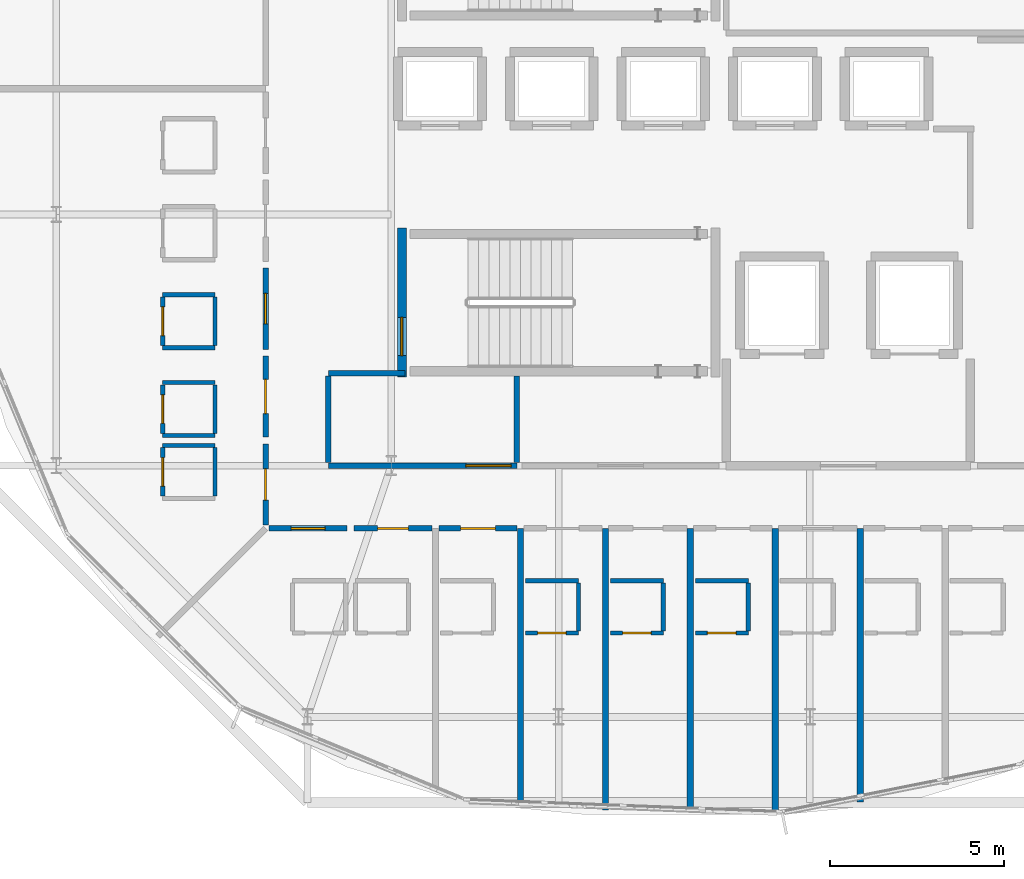
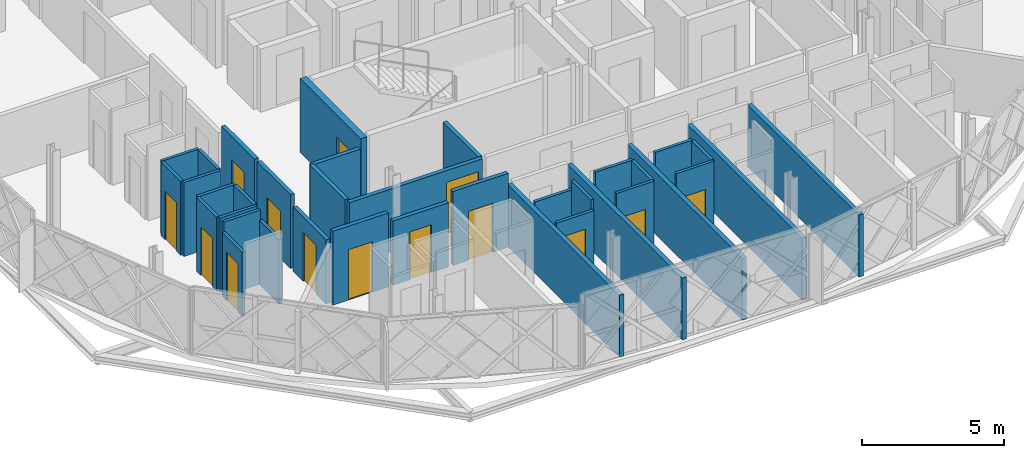
# One storey, part 13 of 24: 36 walls, 14 doors, 14 openings.
"""IFC4 building model written with IfcOpenShell, lengths in metres."""

from ifc_helpers import new_model, si_unit, direction, frame, frame_2d, origin, place, context, subcontext, project, spatial, rectangle, extrude, material, layer, layer_set, type_object, element, fill, save


model = new_model("IFC4")

# Units and contexts
model_context = context("Model", 3, precision=1e-05, world=origin(), true_north=direction((0.0, 1.0)))
body_context = subcontext(model_context, "Body", "Model", "MODEL_VIEW")
ifc_project = project(units=[si_unit("LENGTHUNIT", "METRE"), si_unit("AREAUNIT", "SQUARE_METRE"), si_unit("VOLUMEUNIT", "CUBIC_METRE"), si_unit("PLANEANGLEUNIT", "RADIAN"), si_unit("MASSUNIT", "GRAM", prefix="KILO")], contexts=[model_context])

# Site, building, storey
site_placement = place(None, origin())
site = spatial("IfcSite", under=ifc_project, at=site_placement, CompositionType="ELEMENT")
building_placement = place(site_placement, origin())
building = spatial("IfcBuilding", under=site, at=building_placement, Name="Zevrakil Square Congress Hotel", CompositionType="ELEMENT")
storey_placement = place(building_placement, frame((0.0, 0.0, 31.699951171875)))
storey = spatial("IfcBuildingStorey", under=building, at=storey_placement, Name="L09", CompositionType="ELEMENT", Elevation=31.699951171875)

# Wall, opening, door
ifc_material_1 = material(Name="Gypsum Acoustic Stud Partition")
ifc_layer_1 = layer(ifc_material_1, 0.159912109375)
ifc_layer_set_1 = layer_set([ifc_layer_1], Name="Gypsum Acoustic Stud Partition")
wall_type_1 = type_object("IfcWallType", Name="WAL-CORR-160", PredefinedType="PARTITIONING", material=ifc_layer_set_1)
wall_1_placement = place(storey_placement, frame((135.0, 16.800048828125, 0.0), z_axis=(0.0, 0.0, 1.0), x_axis=(1.0, 0.0, 0.0)))
wall_1 = element("IfcWall", 1, at=wall_1_placement, inside=storey, type_object=wall_type_1, Name="L09 interior partition PW-L09-1351", PredefinedType="PARTITIONING", context=body_context, shape_type="SweptSolid", body=[
    extrude(rectangle(XDim=5.39990234375, YDim=0.159912109375, at=frame_2d((2.699951171875, 0.0))), origin(), (0.0, 0.0, 1.0), 2.705078125),
])
opening_1_placement = place(wall_1_placement, frame((3.93994140625, 0.0, 0.0)))
opening_1 = element("IfcOpeningElement", 2, at=opening_1_placement, cuts=wall_1, Name="Opening ID-08", PredefinedType="OPENING", context=body_context, shape_type="SweptSolid", body=[
    extrude(rectangle(XDim=1.300048828125, YDim=2.199951171875, at=frame_2d((0.64990234375, 1.10009765625))), frame((0.0, 0.08984375, 0.0), z_axis=(0.0, -1.0, 0.0), x_axis=(1.0, 0.0, 0.0)), (0.0, 0.0, 1.0), 0.179931640625),
])
ifc_material_2 = material(Name="Service Corridor Leaf-and-Half Door")
door_type_1 = type_object("IfcDoorType", Name="DOR-BOH-130", OperationType="NOTDEFINED", PredefinedType="DOOR", material=ifc_material_2)
door_1_placement = place(opening_1_placement, origin())
door_1 = element("IfcDoor", 3, at=door_1_placement, inside=storey, type_object=door_type_1, Name="L09 interior door 528", OperationType="SINGLE_SWING_RIGHT", OverallHeight=2.199951171875, OverallWidth=1.300048828125, PredefinedType="DOOR", context=body_context, shape_type="SweptSolid", body=[
    extrude(rectangle(XDim=1.300048828125, YDim=2.199951171875, at=frame_2d((0.64990234375, 1.10009765625))), frame((0.0, 0.02490234375, 0.0), z_axis=(0.0, -1.0, 0.0), x_axis=(1.0, 0.0, 0.0)), (0.0, 0.0, 1.0), 0.050048828125),
])
fill(opening_1, door_1)

# Walls
wall_2_placement = place(storey_placement, frame((135.0, 16.885009765625, 0.0), z_axis=(0.0, 0.0, 1.0), x_axis=(0.0, 1.0, 0.0)))
element("IfcWall", 4, at=wall_2_placement, inside=storey, type_object=wall_type_1, Name="L09 interior partition PW-L09-1352", PredefinedType="PARTITIONING", context=body_context, shape_type="SweptSolid", body=[
    extrude(rectangle(XDim=2.47998046875, YDim=0.159912109375, at=frame_2d((1.239990234375, 0.0))), origin(), (0.0, 0.0, 1.0), 2.755126953125),
])
wall_3_placement = place(storey_placement, frame((140.39990234375, 16.885009765625, 0.0), z_axis=(0.0, 0.0, 1.0), x_axis=(0.0, 1.0, 0.0)))
element("IfcWall", 5, at=wall_3_placement, inside=storey, type_object=wall_type_1, Name="L09 interior partition PW-L09-1353", PredefinedType="PARTITIONING", context=body_context, shape_type="SweptSolid", body=[
    extrude(rectangle(XDim=2.47998046875, YDim=0.159912109375, at=frame_2d((1.239990234375, 0.0))), origin(), (0.0, 0.0, 1.0), 2.705078125),
])
wall_4_placement = place(storey_placement, frame((135.0, 19.449951171875, 0.0), z_axis=(0.0, 0.0, 1.0), x_axis=(1.0, 0.0, 0.0)))
element("IfcWall", 6, at=wall_4_placement, inside=storey, type_object=wall_type_1, Name="L09 interior partition PW-L09-1354", PredefinedType="PARTITIONING", context=body_context, shape_type="SweptSolid", body=[
    extrude(rectangle(XDim=2.199951171875, YDim=0.159912109375, at=frame_2d((1.10009765625, 0.0))), origin(), (0.0, 0.0, 1.0), 2.705078125),
])

# Wall, opening, door
wall_5_placement = place(storey_placement, frame((133.294921875, 15.0, 0.0), z_axis=(0.0, 0.0, 1.0), x_axis=(1.0, 0.0, 0.0)))
wall_5 = element("IfcWall", 7, at=wall_5_placement, inside=storey, type_object=wall_type_1, Name="L09 interior partition PW-L09-1370", PredefinedType="PARTITIONING", context=body_context, shape_type="SweptSolid", body=[
    extrude(rectangle(XDim=2.2451171875, YDim=0.159912109375, at=frame_2d((1.12255859375, 0.0))), origin(), (0.0, 0.0, 1.0), 3.170166015625),
])
opening_2_placement = place(wall_5_placement, frame((0.636474609375, 0.0, 0.0)))
opening_2 = element("IfcOpeningElement", 8, at=opening_2_placement, cuts=wall_5, Name="Opening ID-H11", PredefinedType="OPENING", context=body_context, shape_type="SweptSolid", body=[
    extrude(rectangle(XDim=0.971923828125, YDim=2.159912109375, at=frame_2d((0.48583984375, 1.080078125))), frame((0.0, 0.08984375, 0.0), z_axis=(0.0, -1.0, 0.0), x_axis=(1.0, 0.0, 0.0)), (0.0, 0.0, 1.0), 0.179931640625),
])
ifc_material_3 = material(Name="Acoustic Timber Fire Door", Category="wood")
door_type_2 = type_object("IfcDoorType", Name="DOR-INT-H11", OperationType="NOTDEFINED", PredefinedType="DOOR", material=ifc_material_3)
door_2_placement = place(opening_2_placement, origin())
door_2 = element("IfcDoor", 9, at=door_2_placement, inside=storey, type_object=door_type_2, Name="L09 interior door 534", OperationType="SINGLE_SWING_RIGHT", OverallHeight=2.159912109375, OverallWidth=0.971923828125, PredefinedType="DOOR", context=body_context, shape_type="SweptSolid", body=[
    extrude(rectangle(XDim=0.971923828125, YDim=2.159912109375, at=frame_2d((0.48583984375, 1.080078125))), frame((0.0, 0.02490234375, 0.0), z_axis=(0.0, -1.0, 0.0), x_axis=(1.0, 0.0, 0.0)), (0.0, 0.0, 1.0), 0.050048828125),
])
fill(opening_2, door_2)

wall_6_placement = place(storey_placement, frame((135.72998046875, 15.0, 0.0), z_axis=(0.0, 0.0, 1.0), x_axis=(1.0, 0.0, 0.0)))
wall_6 = element("IfcWall", 10, at=wall_6_placement, inside=storey, type_object=wall_type_1, Name="L09 interior partition PW-L09-1376", PredefinedType="PARTITIONING", context=body_context, shape_type="SweptSolid", body=[
    extrude(rectangle(XDim=2.2451171875, YDim=0.159912109375, at=frame_2d((1.12255859375, 0.0))), origin(), (0.0, 0.0, 1.0), 2.755126953125),
])
opening_3_placement = place(wall_6_placement, frame((0.6826171875, 0.0, 0.0)))
opening_3 = element("IfcOpeningElement", 11, at=opening_3_placement, cuts=wall_6, Name="Opening ID-G02", PredefinedType="OPENING", context=body_context, shape_type="SweptSolid", body=[
    extrude(rectangle(XDim=0.8798828125, YDim=2.050048828125, at=frame_2d((0.43994140625, 1.02490234375))), frame((0.0, 0.08984375, 0.0), z_axis=(0.0, -1.0, 0.0), x_axis=(1.0, 0.0, 0.0)), (0.0, 0.0, 1.0), 0.179931640625),
])
ifc_material_4 = material(Name="Acoustic Timber Fire Door", Category="wood")
door_type_3 = type_object("IfcDoorType", Name="DOR-INT-G02", OperationType="NOTDEFINED", PredefinedType="DOOR", material=ifc_material_4)
door_3_placement = place(opening_3_placement, origin())
door_3 = element("IfcDoor", 12, at=door_3_placement, inside=storey, type_object=door_type_3, Name="L09 interior door 536", OperationType="SINGLE_SWING_RIGHT", OverallHeight=2.050048828125, OverallWidth=0.8798828125, PredefinedType="DOOR", context=body_context, shape_type="SweptSolid", body=[
    extrude(rectangle(XDim=0.8798828125, YDim=2.050048828125, at=frame_2d((0.43994140625, 1.02490234375))), frame((0.0, 0.02490234375, 0.0), z_axis=(0.0, -1.0, 0.0), x_axis=(1.0, 0.0, 0.0)), (0.0, 0.0, 1.0), 0.050048828125),
])
fill(opening_3, door_3)

wall_7_placement = place(storey_placement, frame((138.1650390625, 15.0, 0.0), z_axis=(0.0, 0.0, 1.0), x_axis=(1.0, 0.0, 0.0)))
wall_7 = element("IfcWall", 13, at=wall_7_placement, inside=storey, type_object=wall_type_1, Name="L09 interior partition PW-L09-1382", PredefinedType="PARTITIONING", context=body_context, shape_type="SweptSolid", body=[
    extrude(rectangle(XDim=2.244873046875, YDim=0.159912109375, at=frame_2d((1.12255859375, 0.0))), origin(), (0.0, 0.0, 1.0), 3.170166015625),
])
opening_4_placement = place(wall_7_placement, frame((0.62451171875, 0.0, 0.0)))
opening_4 = element("IfcOpeningElement", 14, at=opening_4_placement, cuts=wall_7, Name="Opening ID-H13", PredefinedType="OPENING", context=body_context, shape_type="SweptSolid", body=[
    extrude(rectangle(XDim=0.99609375, YDim=2.10009765625, at=frame_2d((0.498046875, 1.050048828125))), frame((0.0, 0.08984375, 0.0), z_axis=(0.0, -1.0, 0.0), x_axis=(1.0, 0.0, 0.0)), (0.0, 0.0, 1.0), 0.179931640625),
])
ifc_material_5 = material(Name="Acoustic Timber Fire Door", Category="wood")
door_type_4 = type_object("IfcDoorType", Name="DOR-INT-H13", OperationType="NOTDEFINED", PredefinedType="DOOR", material=ifc_material_5)
door_4_placement = place(opening_4_placement, origin())
door_4 = element("IfcDoor", 15, at=door_4_placement, inside=storey, type_object=door_type_4, Name="L09 interior door 538", OperationType="SINGLE_SWING_RIGHT", OverallHeight=2.10009765625, OverallWidth=0.99609375, PredefinedType="DOOR", context=body_context, shape_type="SweptSolid", body=[
    extrude(rectangle(XDim=0.99609375, YDim=2.10009765625, at=frame_2d((0.498046875, 1.050048828125))), frame((0.0, 0.02490234375, 0.0), z_axis=(0.0, -1.0, 0.0), x_axis=(1.0, 0.0, 0.0)), (0.0, 0.0, 1.0), 0.050048828125),
])
fill(opening_4, door_4)

wall_8_placement = place(storey_placement, frame((133.199951171875, 20.135009765625, 0.0), z_axis=(0.0, 0.0, 1.0), x_axis=(0.0, 1.0, 0.0)))
wall_8 = element("IfcWall", 16, at=wall_8_placement, inside=storey, type_object=wall_type_1, Name="L09 interior partition PW-L09-1545", PredefinedType="PARTITIONING", context=body_context, shape_type="SweptSolid", body=[
    extrude(rectangle(XDim=2.330078125, YDim=0.159912109375, at=frame_2d((1.1650390625, 0.0))), origin(), (0.0, 0.0, 1.0), 3.170166015625),
])
opening_5_placement = place(wall_8_placement, frame((0.72705078125, 0.0, 0.0)))
opening_5 = element("IfcOpeningElement", 17, at=opening_5_placement, cuts=wall_8, Name="Opening ID-H03", PredefinedType="OPENING", context=body_context, shape_type="SweptSolid", body=[
    extrude(rectangle(XDim=0.8759765625, YDim=2.159912109375, at=frame_2d((0.43798828125, 1.080078125))), frame((0.0, 0.08984375, 0.0), z_axis=(0.0, -1.0, 0.0), x_axis=(1.0, 0.0, 0.0)), (0.0, 0.0, 1.0), 0.179931640625),
])
ifc_material_6 = material(Name="Acoustic Timber Fire Door", Category="wood")
door_type_5 = type_object("IfcDoorType", Name="DOR-INT-H03", OperationType="NOTDEFINED", PredefinedType="DOOR", material=ifc_material_6)
door_5_placement = place(opening_5_placement, origin())
door_5 = element("IfcDoor", 18, at=door_5_placement, inside=storey, type_object=door_type_5, Name="L09 interior door 602", OperationType="SINGLE_SWING_RIGHT", OverallHeight=2.159912109375, OverallWidth=0.8759765625, PredefinedType="DOOR", context=body_context, shape_type="SweptSolid", body=[
    extrude(rectangle(XDim=0.8759765625, YDim=2.159912109375, at=frame_2d((0.43798828125, 1.080078125))), frame((0.0, 0.02490234375, 0.0), z_axis=(0.0, -1.0, 0.0), x_axis=(1.0, 0.0, 0.0)), (0.0, 0.0, 1.0), 0.050048828125),
])
fill(opening_5, door_5)

wall_9_placement = place(storey_placement, frame((133.199951171875, 17.614990234375, 0.0), z_axis=(0.0, 0.0, 1.0), x_axis=(0.0, 1.0, 0.0)))
wall_9 = element("IfcWall", 19, at=wall_9_placement, inside=storey, type_object=wall_type_1, Name="L09 interior partition PW-L09-1550", PredefinedType="PARTITIONING", context=body_context, shape_type="SweptSolid", body=[
    extrude(rectangle(XDim=2.330078125, YDim=0.159912109375, at=frame_2d((1.1650390625, 0.0))), origin(), (0.0, 0.0, 1.0), 3.170166015625),
])
opening_6_placement = place(wall_9_placement, frame((0.675048828125, 0.0, 0.0)))
opening_6 = element("IfcOpeningElement", 20, at=opening_6_placement, cuts=wall_9, Name="Opening ID-G06", PredefinedType="OPENING", context=body_context, shape_type="SweptSolid", body=[
    extrude(rectangle(XDim=0.97998046875, YDim=2.050048828125, at=frame_2d((0.489990234375, 1.02490234375))), frame((0.0, 0.08984375, 0.0), z_axis=(0.0, -1.0, 0.0), x_axis=(1.0, 0.0, 0.0)), (0.0, 0.0, 1.0), 0.179931640625),
])
ifc_material_7 = material(Name="Acoustic Timber Fire Door", Category="wood")
door_type_6 = type_object("IfcDoorType", Name="DOR-INT-G06", OperationType="NOTDEFINED", PredefinedType="DOOR", material=ifc_material_7)
door_6_placement = place(opening_6_placement, origin())
door_6 = element("IfcDoor", 21, at=door_6_placement, inside=storey, type_object=door_type_6, Name="L09 interior door 604", OperationType="SINGLE_SWING_RIGHT", OverallHeight=2.050048828125, OverallWidth=0.97998046875, PredefinedType="DOOR", context=body_context, shape_type="SweptSolid", body=[
    extrude(rectangle(XDim=0.97998046875, YDim=2.050048828125, at=frame_2d((0.489990234375, 1.02490234375))), frame((0.0, 0.02490234375, 0.0), z_axis=(0.0, -1.0, 0.0), x_axis=(1.0, 0.0, 0.0)), (0.0, 0.0, 1.0), 0.050048828125),
])
fill(opening_6, door_6)

wall_10_placement = place(storey_placement, frame((133.199951171875, 15.094970703125, 0.0), z_axis=(0.0, 0.0, 1.0), x_axis=(0.0, 1.0, 0.0)))
wall_10 = element("IfcWall", 22, at=wall_10_placement, inside=storey, type_object=wall_type_1, Name="L09 interior partition PW-L09-1555", PredefinedType="PARTITIONING", context=body_context, shape_type="SweptSolid", body=[
    extrude(rectangle(XDim=2.330078125, YDim=0.159912109375, at=frame_2d((1.1650390625, 0.0))), origin(), (0.0, 0.0, 1.0), 2.755126953125),
])
opening_7_placement = place(wall_10_placement, frame((0.715087890625, 0.0, 0.0)))
opening_7 = element("IfcOpeningElement", 23, at=opening_7_placement, cuts=wall_10, Name="Opening ID-H05", PredefinedType="OPENING", context=body_context, shape_type="SweptSolid", body=[
    extrude(rectangle(XDim=0.89990234375, YDim=2.10009765625, at=frame_2d((0.449951171875, 1.050048828125))), frame((0.0, 0.08984375, 0.0), z_axis=(0.0, -1.0, 0.0), x_axis=(1.0, 0.0, 0.0)), (0.0, 0.0, 1.0), 0.179931640625),
])
ifc_material_8 = material(Name="Acoustic Timber Fire Door", Category="wood")
door_type_7 = type_object("IfcDoorType", Name="DOR-INT-H05", OperationType="NOTDEFINED", PredefinedType="DOOR", material=ifc_material_8)
door_7_placement = place(opening_7_placement, origin())
door_7 = element("IfcDoor", 24, at=door_7_placement, inside=storey, type_object=door_type_7, Name="L09 interior door 606", OperationType="SINGLE_SWING_RIGHT", OverallHeight=2.10009765625, OverallWidth=0.89990234375, PredefinedType="DOOR", context=body_context, shape_type="SweptSolid", body=[
    extrude(rectangle(XDim=0.89990234375, YDim=2.10009765625, at=frame_2d((0.449951171875, 1.050048828125))), frame((0.0, 0.02490234375, 0.0), z_axis=(0.0, -1.0, 0.0), x_axis=(1.0, 0.0, 0.0)), (0.0, 0.0, 1.0), 0.050048828125),
])
fill(opening_7, door_7)

ifc_material_9 = material(Name="Moisture-Resistant Gypsum Partition")
ifc_layer_2 = layer(ifc_material_9, 0.1201171875)
ifc_layer_set_2 = layer_set([ifc_layer_2], Name="Moisture-Resistant Gypsum Partition")
wall_type_2 = type_object("IfcWallType", Name="WAL-ENS-120", PredefinedType="PARTITIONING", material=ifc_layer_set_2)
wall_11_placement = place(storey_placement, frame((140.64501953125, 12.0, 0.0), z_axis=(0.0, 0.0, 1.0), x_axis=(1.0, 0.0, 0.0)))
wall_11 = element("IfcWall", 25, at=wall_11_placement, inside=storey, type_object=wall_type_2, Name="L09 interior partition PW-L09-1388", PredefinedType="PARTITIONING", context=body_context, shape_type="SweptSolid", body=[
    extrude(rectangle(XDim=1.52001953125, YDim=0.1201171875, at=frame_2d((0.760009765625, 0.0))), origin(), (0.0, 0.0, 1.0), 2.755126953125),
])
opening_8_placement = place(wall_11_placement, frame((0.35009765625, 0.0, 0.0)))
opening_8 = element("IfcOpeningElement", 26, at=opening_8_placement, cuts=wall_11, Name="Opening ID-11", PredefinedType="OPENING", context=body_context, shape_type="SweptSolid", body=[
    extrude(rectangle(XDim=0.820068359375, YDim=2.080078125, at=frame_2d((0.41015625, 1.0400390625))), frame((0.0, 0.070068359375, 0.0), z_axis=(0.0, -1.0, 0.0), x_axis=(1.0, 0.0, 0.0)), (0.0, 0.0, 1.0), 0.14013671875),
])
ifc_material_10 = material(Name="Acoustic Timber Door", Category="wood")
door_type_8 = type_object("IfcDoorType", Name="DOR-INT-V01", OperationType="NOTDEFINED", PredefinedType="DOOR", material=ifc_material_10)
door_8_placement = place(opening_8_placement, origin())
door_8 = element("IfcDoor", 27, at=door_8_placement, inside=storey, type_object=door_type_8, Name="L09 interior door 541", OperationType="SINGLE_SWING_LEFT", OverallHeight=2.080078125, OverallWidth=0.820068359375, PredefinedType="DOOR", context=body_context, shape_type="SweptSolid", body=[
    extrude(rectangle(XDim=0.820068359375, YDim=2.080078125, at=frame_2d((0.41015625, 1.0400390625))), frame((0.0, 0.02490234375, 0.0), z_axis=(0.0, -1.0, 0.0), x_axis=(1.0, 0.0, 0.0)), (0.0, 0.0, 1.0), 0.050048828125),
])
fill(opening_8, door_8)

# Walls
wall_12_placement = place(storey_placement, frame((140.64501953125, 13.5, 0.0), z_axis=(0.0, 0.0, 1.0), x_axis=(1.0, 0.0, 0.0)))
element("IfcWall", 28, at=wall_12_placement, inside=storey, type_object=wall_type_2, Name="L09 interior partition PW-L09-1389", PredefinedType="PARTITIONING", context=body_context, shape_type="SweptSolid", body=[
    extrude(rectangle(XDim=1.52001953125, YDim=0.1201171875, at=frame_2d((0.760009765625, 0.0))), origin(), (0.0, 0.0, 1.0), 2.755126953125),
])
wall_13_placement = place(storey_placement, frame((142.1650390625, 12.06494140625, 0.0), z_axis=(0.0, 0.0, 1.0), x_axis=(0.0, 1.0, 0.0)))
element("IfcWall", 29, at=wall_13_placement, inside=storey, type_object=wall_type_2, Name="L09 interior partition PW-L09-1390", PredefinedType="PARTITIONING", context=body_context, shape_type="SweptSolid", body=[
    extrude(rectangle(XDim=1.3701171875, YDim=0.1201171875, at=frame_2d((0.68505859375, 0.0))), origin(), (0.0, 0.0, 1.0), 3.170166015625),
])

# Wall, opening, door
wall_14_placement = place(storey_placement, frame((143.080078125, 12.0, 0.0), z_axis=(0.0, 0.0, 1.0), x_axis=(1.0, 0.0, 0.0)))
wall_14 = element("IfcWall", 30, at=wall_14_placement, inside=storey, type_object=wall_type_2, Name="L09 interior partition PW-L09-1393", PredefinedType="PARTITIONING", context=body_context, shape_type="SweptSolid", body=[
    extrude(rectangle(XDim=1.52001953125, YDim=0.1201171875, at=frame_2d((0.760009765625, 0.0))), origin(), (0.0, 0.0, 1.0), 3.170166015625),
])
opening_9_placement = place(wall_14_placement, frame((0.35009765625, 0.0, 0.0)))
opening_9 = element("IfcOpeningElement", 31, at=opening_9_placement, cuts=wall_14, Name="Opening ID-11", PredefinedType="OPENING", context=body_context, shape_type="SweptSolid", body=[
    extrude(rectangle(XDim=0.820068359375, YDim=2.080078125, at=frame_2d((0.41015625, 1.0400390625))), frame((0.0, 0.070068359375, 0.0), z_axis=(0.0, -1.0, 0.0), x_axis=(1.0, 0.0, 0.0)), (0.0, 0.0, 1.0), 0.14013671875),
])
door_9_placement = place(opening_9_placement, origin())
door_9 = element("IfcDoor", 32, at=door_9_placement, inside=storey, type_object=door_type_8, Name="L09 interior door 543", OperationType="SINGLE_SWING_LEFT", OverallHeight=2.080078125, OverallWidth=0.820068359375, PredefinedType="DOOR", context=body_context, shape_type="SweptSolid", body=[
    extrude(rectangle(XDim=0.820068359375, YDim=2.080078125, at=frame_2d((0.41015625, 1.0400390625))), frame((0.0, 0.02490234375, 0.0), z_axis=(0.0, -1.0, 0.0), x_axis=(1.0, 0.0, 0.0)), (0.0, 0.0, 1.0), 0.050048828125),
])
fill(opening_9, door_9)

# Walls
wall_15_placement = place(storey_placement, frame((143.080078125, 13.5, 0.0), z_axis=(0.0, 0.0, 1.0), x_axis=(1.0, 0.0, 0.0)))
element("IfcWall", 33, at=wall_15_placement, inside=storey, type_object=wall_type_2, Name="L09 interior partition PW-L09-1394", PredefinedType="PARTITIONING", context=body_context, shape_type="SweptSolid", body=[
    extrude(rectangle(XDim=1.52001953125, YDim=0.1201171875, at=frame_2d((0.760009765625, 0.0))), origin(), (0.0, 0.0, 1.0), 3.170166015625),
])
wall_16_placement = place(storey_placement, frame((144.60009765625, 12.06494140625, 0.0), z_axis=(0.0, 0.0, 1.0), x_axis=(0.0, 1.0, 0.0)))
element("IfcWall", 34, at=wall_16_placement, inside=storey, type_object=wall_type_2, Name="L09 interior partition PW-L09-1395", PredefinedType="PARTITIONING", context=body_context, shape_type="SweptSolid", body=[
    extrude(rectangle(XDim=1.3701171875, YDim=0.1201171875, at=frame_2d((0.68505859375, 0.0))), origin(), (0.0, 0.0, 1.0), 3.170166015625),
])

# Wall, opening, door
wall_17_placement = place(storey_placement, frame((145.514892578125, 12.0, 0.0), z_axis=(0.0, 0.0, 1.0), x_axis=(1.0, 0.0, 0.0)))
wall_17 = element("IfcWall", 35, at=wall_17_placement, inside=storey, type_object=wall_type_2, Name="L09 interior partition PW-L09-1398", PredefinedType="PARTITIONING", context=body_context, shape_type="SweptSolid", body=[
    extrude(rectangle(XDim=1.52001953125, YDim=0.1201171875, at=frame_2d((0.760009765625, 0.0))), origin(), (0.0, 0.0, 1.0), 3.170166015625),
])
opening_10_placement = place(wall_17_placement, frame((0.35009765625, 0.0, 0.0)))
opening_10 = element("IfcOpeningElement", 36, at=opening_10_placement, cuts=wall_17, Name="Opening ID-11", PredefinedType="OPENING", context=body_context, shape_type="SweptSolid", body=[
    extrude(rectangle(XDim=0.820068359375, YDim=2.080078125, at=frame_2d((0.41015625, 1.0400390625))), frame((0.0, 0.070068359375, 0.0), z_axis=(0.0, -1.0, 0.0), x_axis=(1.0, 0.0, 0.0)), (0.0, 0.0, 1.0), 0.14013671875),
])
door_10_placement = place(opening_10_placement, origin())
door_10 = element("IfcDoor", 37, at=door_10_placement, inside=storey, type_object=door_type_8, Name="L09 interior door 545", OperationType="SINGLE_SWING_LEFT", OverallHeight=2.080078125, OverallWidth=0.820068359375, PredefinedType="DOOR", context=body_context, shape_type="SweptSolid", body=[
    extrude(rectangle(XDim=0.820068359375, YDim=2.080078125, at=frame_2d((0.41015625, 1.0400390625))), frame((0.0, 0.02490234375, 0.0), z_axis=(0.0, -1.0, 0.0), x_axis=(1.0, 0.0, 0.0)), (0.0, 0.0, 1.0), 0.050048828125),
])
fill(opening_10, door_10)

# Walls
wall_18_placement = place(storey_placement, frame((145.514892578125, 13.5, 0.0), z_axis=(0.0, 0.0, 1.0), x_axis=(1.0, 0.0, 0.0)))
element("IfcWall", 38, at=wall_18_placement, inside=storey, type_object=wall_type_2, Name="L09 interior partition PW-L09-1399", PredefinedType="PARTITIONING", context=body_context, shape_type="SweptSolid", body=[
    extrude(rectangle(XDim=1.52001953125, YDim=0.1201171875, at=frame_2d((0.760009765625, 0.0))), origin(), (0.0, 0.0, 1.0), 3.170166015625),
])
wall_19_placement = place(storey_placement, frame((147.034912109375, 12.06494140625, 0.0), z_axis=(0.0, 0.0, 1.0), x_axis=(0.0, 1.0, 0.0)))
element("IfcWall", 39, at=wall_19_placement, inside=storey, type_object=wall_type_2, Name="L09 interior partition PW-L09-1400", PredefinedType="PARTITIONING", context=body_context, shape_type="SweptSolid", body=[
    extrude(rectangle(XDim=1.3701171875, YDim=0.1201171875, at=frame_2d((0.68505859375, 0.0))), origin(), (0.0, 0.0, 1.0), 3.170166015625),
])
for number, where, z_axis, x_axis, name in (
    (40, (130.25, 20.179931640625, 0.0), (0.0, 0.0, 1.0), (1.0, 0.0, 0.0), "L09 interior partition PW-L09-1546"),
    (41, (130.25, 21.699951171875, 0.0), (0.0, 0.0, 1.0), (1.0, 0.0, 0.0), "L09 interior partition PW-L09-1547"),
):
    element("IfcWall", number, at=place(storey_placement, frame(where, z_axis=z_axis, x_axis=x_axis)), inside=storey, type_object=wall_type_2, Name=name, PredefinedType="PARTITIONING", context=body_context, shape_type="SweptSolid", body=[
        extrude(rectangle(XDim=1.5, YDim=0.1201171875, at=frame_2d((0.75, 0.0))), origin(), (0.0, 0.0, 1.0), 3.170166015625),
    ])

# Wall, opening, door
wall_20_placement = place(storey_placement, frame((130.25, 20.2451171875, 0.0), z_axis=(0.0, 0.0, 1.0), x_axis=(0.0, 1.0, 0.0)))
wall_20 = element("IfcWall", 42, at=wall_20_placement, inside=storey, type_object=wall_type_2, Name="L09 interior partition PW-L09-1548", PredefinedType="PARTITIONING", context=body_context, shape_type="SweptSolid", body=[
    extrude(rectangle(XDim=1.389892578125, YDim=0.1201171875, at=frame_2d((0.69482421875, 0.0))), origin(), (0.0, 0.0, 1.0), 3.170166015625),
])
opening_11_placement = place(wall_20_placement, frame((0.284912109375, 0.0, 0.0)))
opening_11 = element("IfcOpeningElement", 43, at=opening_11_placement, cuts=wall_20, Name="Opening ID-11", PredefinedType="OPENING", context=body_context, shape_type="SweptSolid", body=[
    extrude(rectangle(XDim=0.820068359375, YDim=2.080078125, at=frame_2d((0.41015625, 1.0400390625))), frame((0.0, 0.070068359375, 0.0), z_axis=(0.0, -1.0, 0.0), x_axis=(1.0, 0.0, 0.0)), (0.0, 0.0, 1.0), 0.14013671875),
])
door_11_placement = place(opening_11_placement, origin())
door_11 = element("IfcDoor", 44, at=door_11_placement, inside=storey, type_object=door_type_8, Name="L09 interior door 603", OperationType="SINGLE_SWING_LEFT", OverallHeight=2.080078125, OverallWidth=0.820068359375, PredefinedType="DOOR", context=body_context, shape_type="SweptSolid", body=[
    extrude(rectangle(XDim=0.820068359375, YDim=2.080078125, at=frame_2d((0.41015625, 1.0400390625))), frame((0.0, 0.02490234375, 0.0), z_axis=(0.0, -1.0, 0.0), x_axis=(1.0, 0.0, 0.0)), (0.0, 0.0, 1.0), 0.050048828125),
])
fill(opening_11, door_11)

# Walls
wall_21_placement = place(storey_placement, frame((131.75, 20.2451171875, 0.0), z_axis=(0.0, 0.0, 1.0), x_axis=(0.0, 1.0, 0.0)))
element("IfcWall", 45, at=wall_21_placement, inside=storey, type_object=wall_type_2, Name="L09 interior partition PW-L09-1549", PredefinedType="PARTITIONING", context=body_context, shape_type="SweptSolid", body=[
    extrude(rectangle(XDim=1.389892578125, YDim=0.1201171875, at=frame_2d((0.69482421875, 0.0))), origin(), (0.0, 0.0, 1.0), 3.170166015625),
])
for number, where, z_axis, x_axis, name in (
    (46, (130.25, 17.659912109375, 0.0), (0.0, 0.0, 1.0), (1.0, 0.0, 0.0), "L09 interior partition PW-L09-1551"),
    (47, (130.25, 19.179931640625, 0.0), (0.0, 0.0, 1.0), (1.0, 0.0, 0.0), "L09 interior partition PW-L09-1552"),
):
    element("IfcWall", number, at=place(storey_placement, frame(where, z_axis=z_axis, x_axis=x_axis)), inside=storey, type_object=wall_type_2, Name=name, PredefinedType="PARTITIONING", context=body_context, shape_type="SweptSolid", body=[
        extrude(rectangle(XDim=1.5, YDim=0.1201171875, at=frame_2d((0.75, 0.0))), origin(), (0.0, 0.0, 1.0), 3.170166015625),
    ])

# Wall, opening, door
wall_22_placement = place(storey_placement, frame((130.25, 17.72509765625, 0.0), z_axis=(0.0, 0.0, 1.0), x_axis=(0.0, 1.0, 0.0)))
wall_22 = element("IfcWall", 48, at=wall_22_placement, inside=storey, type_object=wall_type_2, Name="L09 interior partition PW-L09-1553", PredefinedType="PARTITIONING", context=body_context, shape_type="SweptSolid", body=[
    extrude(rectangle(XDim=1.389892578125, YDim=0.1201171875, at=frame_2d((0.69482421875, 0.0))), origin(), (0.0, 0.0, 1.0), 3.170166015625),
])
opening_12_placement = place(wall_22_placement, frame((0.284912109375, 0.0, 0.0)))
opening_12 = element("IfcOpeningElement", 49, at=opening_12_placement, cuts=wall_22, Name="Opening ID-11", PredefinedType="OPENING", context=body_context, shape_type="SweptSolid", body=[
    extrude(rectangle(XDim=0.820068359375, YDim=2.080078125, at=frame_2d((0.41015625, 1.0400390625))), frame((0.0, 0.070068359375, 0.0), z_axis=(0.0, -1.0, 0.0), x_axis=(1.0, 0.0, 0.0)), (0.0, 0.0, 1.0), 0.14013671875),
])
door_12_placement = place(opening_12_placement, origin())
door_12 = element("IfcDoor", 50, at=door_12_placement, inside=storey, type_object=door_type_8, Name="L09 interior door 605", OperationType="SINGLE_SWING_LEFT", OverallHeight=2.080078125, OverallWidth=0.820068359375, PredefinedType="DOOR", context=body_context, shape_type="SweptSolid", body=[
    extrude(rectangle(XDim=0.820068359375, YDim=2.080078125, at=frame_2d((0.41015625, 1.0400390625))), frame((0.0, 0.02490234375, 0.0), z_axis=(0.0, -1.0, 0.0), x_axis=(1.0, 0.0, 0.0)), (0.0, 0.0, 1.0), 0.050048828125),
])
fill(opening_12, door_12)

# Walls
wall_23_placement = place(storey_placement, frame((131.75, 17.72509765625, 0.0), z_axis=(0.0, 0.0, 1.0), x_axis=(0.0, 1.0, 0.0)))
element("IfcWall", 51, at=wall_23_placement, inside=storey, type_object=wall_type_2, Name="L09 interior partition PW-L09-1554", PredefinedType="PARTITIONING", context=body_context, shape_type="SweptSolid", body=[
    extrude(rectangle(XDim=1.389892578125, YDim=0.1201171875, at=frame_2d((0.69482421875, 0.0))), origin(), (0.0, 0.0, 1.0), 3.170166015625),
])
wall_24_placement = place(storey_placement, frame((130.25, 17.3798828125, 0.0), z_axis=(0.0, 0.0, 1.0), x_axis=(1.0, 0.0, 0.0)))
element("IfcWall", 52, at=wall_24_placement, inside=storey, type_object=wall_type_2, Name="L09 interior partition PW-L09-1557", PredefinedType="PARTITIONING", context=body_context, shape_type="SweptSolid", body=[
    extrude(rectangle(XDim=1.5, YDim=0.1201171875, at=frame_2d((0.75, 0.0))), origin(), (0.0, 0.0, 1.0), 3.170166015625),
])

# Wall, opening, door
wall_25_placement = place(storey_placement, frame((130.25, 15.925048828125, 0.0), z_axis=(0.0, 0.0, 1.0), x_axis=(0.0, 1.0, 0.0)))
wall_25 = element("IfcWall", 53, at=wall_25_placement, inside=storey, type_object=wall_type_2, Name="L09 interior partition PW-L09-1558", PredefinedType="PARTITIONING", context=body_context, shape_type="SweptSolid", body=[
    extrude(rectangle(XDim=1.389892578125, YDim=0.1201171875, at=frame_2d((0.69482421875, 0.0))), origin(), (0.0, 0.0, 1.0), 2.755126953125),
])
opening_13_placement = place(wall_25_placement, frame((0.284912109375, 0.0, 0.0)))
opening_13 = element("IfcOpeningElement", 54, at=opening_13_placement, cuts=wall_25, Name="Opening ID-11", PredefinedType="OPENING", context=body_context, shape_type="SweptSolid", body=[
    extrude(rectangle(XDim=0.820068359375, YDim=2.080078125, at=frame_2d((0.41015625, 1.0400390625))), frame((0.0, 0.070068359375, 0.0), z_axis=(0.0, -1.0, 0.0), x_axis=(1.0, 0.0, 0.0)), (0.0, 0.0, 1.0), 0.14013671875),
])
door_13_placement = place(opening_13_placement, origin())
door_13 = element("IfcDoor", 55, at=door_13_placement, inside=storey, type_object=door_type_8, Name="L09 interior door 607", OperationType="SINGLE_SWING_LEFT", OverallHeight=2.080078125, OverallWidth=0.820068359375, PredefinedType="DOOR", context=body_context, shape_type="SweptSolid", body=[
    extrude(rectangle(XDim=0.820068359375, YDim=2.080078125, at=frame_2d((0.41015625, 1.0400390625))), frame((0.0, 0.02490234375, 0.0), z_axis=(0.0, -1.0, 0.0), x_axis=(1.0, 0.0, 0.0)), (0.0, 0.0, 1.0), 0.050048828125),
])
fill(opening_13, door_13)

# Walls
wall_26_placement = place(storey_placement, frame((131.75, 15.925048828125, 0.0), z_axis=(0.0, 0.0, 1.0), x_axis=(0.0, 1.0, 0.0)))
element("IfcWall", 56, at=wall_26_placement, inside=storey, type_object=wall_type_2, Name="L09 interior partition PW-L09-1559", PredefinedType="PARTITIONING", context=body_context, shape_type="SweptSolid", body=[
    extrude(rectangle(XDim=1.389892578125, YDim=0.1201171875, at=frame_2d((0.69482421875, 0.0))), origin(), (0.0, 0.0, 1.0), 2.755126953125),
])
ifc_material_11 = material(Name="Gypsum Twin-Stud Party Partition")
ifc_layer_3 = layer(ifc_material_11, 0.179931640625)
ifc_layer_set_3 = layer_set([ifc_layer_3], Name="Gypsum Twin-Stud Party Partition")
wall_type_3 = type_object("IfcWallType", Name="WAL-PARTY-180", PredefinedType="PARTITIONING", material=ifc_layer_set_3)
wall_27_placement = place(storey_placement, frame((140.5048828125, 7.1279296875, 0.0), z_axis=(0.0, 0.0, 1.0), x_axis=(0.0, 1.0, 0.0)))
element("IfcWall", 57, at=wall_27_placement, inside=storey, type_object=wall_type_3, Name="L09 interior partition PW-L09-1386", PredefinedType="PARTITIONING", context=body_context, shape_type="SweptSolid", body=[
    extrude(rectangle(XDim=7.8720703125, YDim=0.179931640625, at=frame_2d((3.93603515625, 0.0))), origin(), (0.0, 0.0, 1.0), 2.655029296875),
])
for number, where, z_axis, x_axis, name in (
    (58, (142.93994140625, 6.93505859375, 0.0), (0.0, 0.0, 1.0), (0.0, 1.0, 0.0), "L09 interior partition PW-L09-1391"),
    (59, (145.375, 6.93505859375, 0.0), (0.0, 0.0, 1.0), (0.0, 1.0, 0.0), "L09 interior partition PW-L09-1396"),
    (60, (147.81005859375, 6.93505859375, 0.0), (0.0, 0.0, 1.0), (0.0, 1.0, 0.0), "L09 interior partition PW-L09-1401"),
):
    element("IfcWall", number, at=place(storey_placement, frame(where, z_axis=z_axis, x_axis=x_axis)), inside=storey, type_object=wall_type_3, Name=name, PredefinedType="PARTITIONING", context=body_context, shape_type="SweptSolid", body=[
        extrude(rectangle(XDim=8.06494140625, YDim=0.179931640625, at=frame_2d((4.032470703125, 0.0))), origin(), (0.0, 0.0, 1.0), 2.655029296875),
    ])
wall_28_placement = place(storey_placement, frame((150.2451171875, 7.16259765625, 0.0), z_axis=(0.0, 0.0, 1.0), x_axis=(0.0, 1.0, 0.0)))
element("IfcWall", 61, at=wall_28_placement, inside=storey, type_object=wall_type_3, Name="L09 interior partition PW-L09-1406", PredefinedType="PARTITIONING", context=body_context, shape_type="SweptSolid", body=[
    extrude(rectangle(XDim=7.83740234375, YDim=0.179931640625, at=frame_2d((3.918701171875, 0.0))), origin(), (0.0, 0.0, 1.0), 2.655029296875),
])

# Wall, opening, door
ifc_material_12 = material(Name="Concrete C40/50", Category="concrete")
ifc_layer_4 = layer(ifc_material_12, 0.260009765625)
ifc_layer_set_4 = layer_set([ifc_layer_4], Name="Concrete C40/50")
wall_type_4 = type_object("IfcWallType", Name="WAL-SHAFT-260", PredefinedType="SHEAR", material=ifc_layer_set_4)
wall_29_placement = place(storey_placement, frame((137.10498046875, 19.340087890625, 0.0), z_axis=(0.0, 0.0, 1.0), x_axis=(0.0, 1.0, 0.0)))
wall_29 = element("IfcWall", 62, at=wall_29_placement, inside=storey, type_object=wall_type_4, Name="L09 ST01 stair shaft W wall", PredefinedType="SHEAR", context=body_context, shape_type="SweptSolid", body=[
    extrude(rectangle(XDim=4.27001953125, YDim=0.260009765625, at=frame_2d((2.135009765625, 0.0))), origin(), (0.0, 0.0, 1.0), 3.170166015625),
])
opening_14_placement = place(wall_29_placement, frame((0.610107421875, 0.0, 0.0)))
opening_14 = element("IfcOpeningElement", 63, at=opening_14_placement, cuts=wall_29, Name="Opening SD-ST01", PredefinedType="OPENING", context=body_context, shape_type="SweptSolid", body=[
    extrude(rectangle(XDim=1.10009765625, YDim=2.199951171875, at=frame_2d((0.550048828125, 1.10009765625))), frame((0.0, 0.14013671875, 0.0), z_axis=(0.0, -1.0, 0.0), x_axis=(1.0, 0.0, 0.0)), (0.0, 0.0, 1.0), 0.280029296875),
])
ifc_material_13 = material(Name="Steel S355 Fire-Rated Door", Category="steel")
door_type_9 = type_object("IfcDoorType", Name="DOR-STAIR-FD90-110", OperationType="NOTDEFINED", PredefinedType="DOOR", material=ifc_material_13)
door_14_placement = place(opening_14_placement, origin())
door_14 = element("IfcDoor", 64, at=door_14_placement, inside=storey, type_object=door_type_9, Name="L09 ST01 protected stair fire door", OperationType="SINGLE_SWING_RIGHT", OverallHeight=2.199951171875, OverallWidth=1.10009765625, PredefinedType="DOOR", context=body_context, shape_type="SweptSolid", body=[
    extrude(rectangle(XDim=1.10009765625, YDim=2.199951171875, at=frame_2d((0.550048828125, 1.10009765625))), frame((0.0, 0.02490234375, 0.0), z_axis=(0.0, -1.0, 0.0), x_axis=(1.0, 0.0, 0.0)), (0.0, 0.0, 1.0), 0.050048828125),
])
fill(opening_14, door_14)

save(model, "model.ifc")
